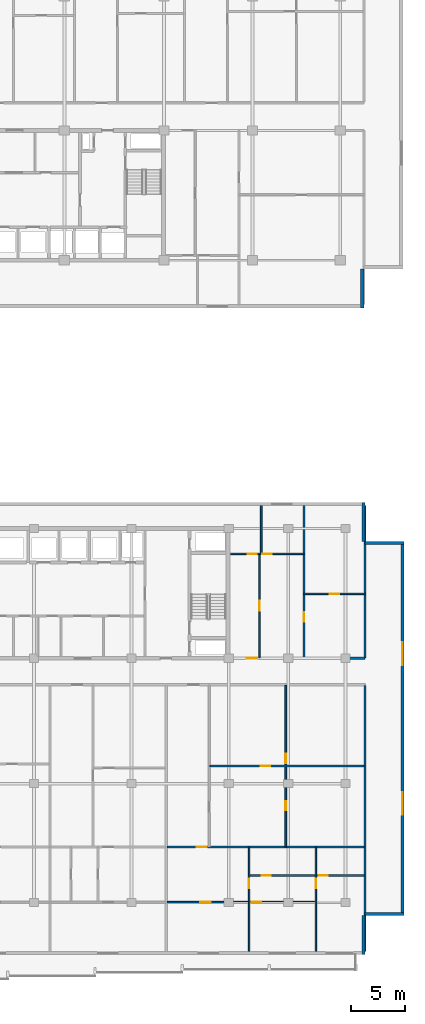
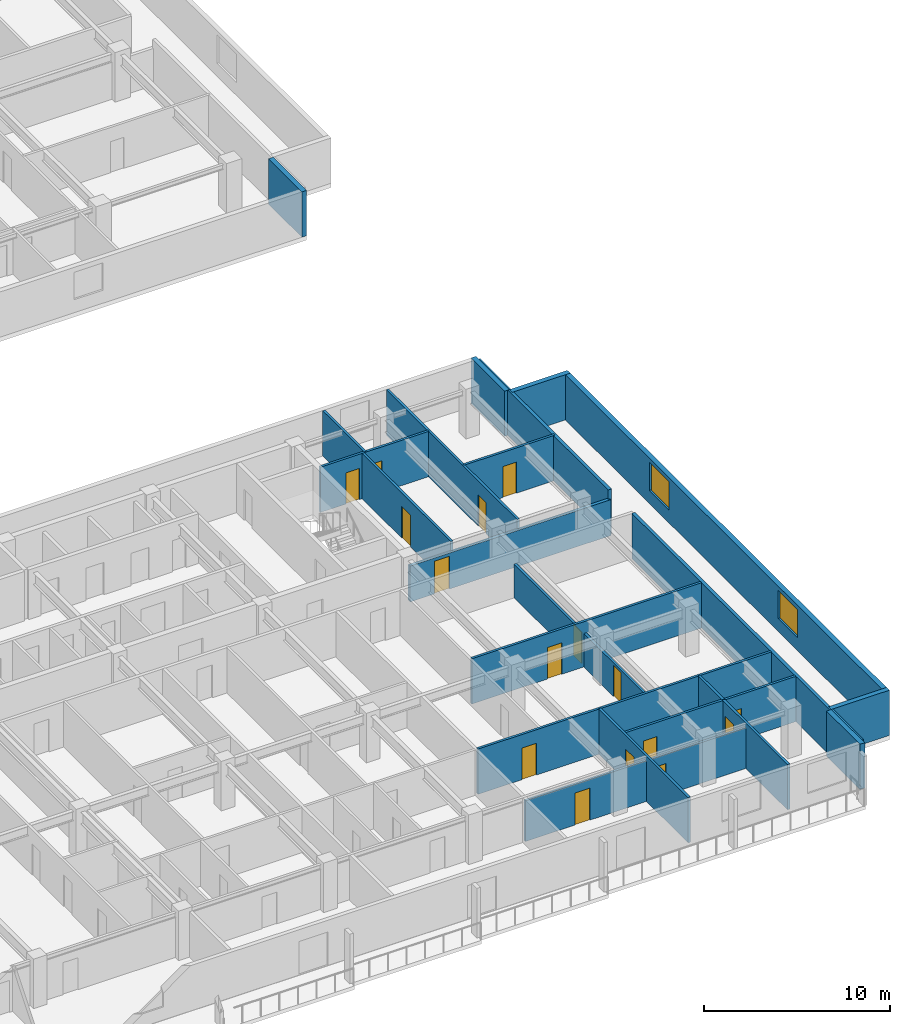
# One storey, part 9 of 21: 22 walls, 16 doors, 2 windows, 18 openings.
"""IFC4 building model written with IfcOpenShell, lengths in metres."""

from ifc_helpers import new_model, si_unit, direction, frame, frame_2d, origin, place, context, subcontext, project, spatial, rectangle, extrude, material, layer, layer_set, type_object, element, fill, save


model = new_model("IFC4")

# Units and contexts
model_context = context("Model", 3, precision=1e-05, world=origin(), true_north=direction((0.0, 1.0)))
body_context = subcontext(model_context, "Body", "Model", "MODEL_VIEW")
ifc_project = project(units=[si_unit("LENGTHUNIT", "METRE"), si_unit("AREAUNIT", "SQUARE_METRE"), si_unit("VOLUMEUNIT", "CUBIC_METRE"), si_unit("PLANEANGLEUNIT", "RADIAN"), si_unit("MASSUNIT", "GRAM", prefix="KILO")], contexts=[model_context])

# Site, building, storey
site_placement = place(None, origin())
site = spatial("IfcSite", under=ifc_project, at=site_placement, CompositionType="ELEMENT")
building_placement = place(site_placement, origin())
building = spatial("IfcBuilding", under=site, at=building_placement, Name="Korimba Cascade Residences", CompositionType="ELEMENT")
storey_placement = place(building_placement, frame((0.0, 0.0, 97.050048828125)))
storey = spatial("IfcBuildingStorey", under=building, at=storey_placement, Name="L27", CompositionType="ELEMENT", Elevation=97.050048828125)

# Walls
ifc_material_1 = material(Name="Precast concrete C40/50", Category="concrete")
ifc_layer_1 = layer(ifc_material_1, 0.300048828125)
ifc_layer_set_1 = layer_set([ifc_layer_1], Name="Precast concrete C40/50")
wall_type_1 = type_object("IfcWallType", Name="EW-STONE-300", PredefinedType="STANDARD", material=ifc_layer_set_1)
wall_1_placement = place(storey_placement, frame((130.449951171875, 50.800048828125, 0.0), z_axis=(0.0, 0.0, 1.0), x_axis=(0.0, 1.0, 0.0)))
element("IfcWall", 1, at=wall_1_placement, inside=storey, type_object=wall_type_1, Name="L27 T1 Perimeter Stone Wall E01", PredefinedType="STANDARD", context=body_context, shape_type="SweptSolid", body=[
    extrude(rectangle(XDim=3.599853515625, YDim=0.300048828125, at=frame_2d((1.7998046875, 0.0))), origin(), (0.0, 0.0, 1.0), 2.969970703125),
])
for number, where, z_axis, x_axis, name in (
    (2, (130.550048828125, -9.0, 0.0), (0.0, 0.0, 1.0), (0.0, 1.0, 0.0), "L27 T2 Perimeter Stone Wall E01"),
    (3, (130.699951171875, -5.25, 0.0), (0.0, 0.0, 1.0), (1.0, 0.0, 0.0), "L27 T2 Perimeter Stone Wall E02"),
):
    element("IfcWall", number, at=place(storey_placement, frame(where, z_axis=z_axis, x_axis=x_axis)), inside=storey, type_object=wall_type_1, Name=name, PredefinedType="STANDARD", context=body_context, shape_type="SweptSolid", body=[
        extrude(rectangle(XDim=3.60009765625, YDim=0.300048828125, at=frame_2d((1.800048828125, 0.0))), origin(), (0.0, 0.0, 1.0), 2.969970703125),
    ])

# Wall, openings, windows
wall_2_placement = place(storey_placement, frame((134.14990234375, -5.39990234375, 0.0), z_axis=(0.0, 0.0, 1.0), x_axis=(0.0, 1.0, 0.0)))
wall_2 = element("IfcWall", 4, at=wall_2_placement, inside=storey, type_object=wall_type_1, Name="L27 T2 Perimeter Stone Wall E03", PredefinedType="STANDARD", context=body_context, shape_type="SweptSolid", body=[
    extrude(rectangle(XDim=34.599853515625, YDim=0.300048828125, at=frame_2d((17.2998046875, 0.0))), origin(), (0.0, 0.0, 1.0), 2.969970703125),
])
opening_1_placement = place(wall_2_placement, frame((9.330078125, 0.0, 0.85009765625)))
opening_1 = element("IfcOpeningElement", 5, at=opening_1_placement, cuts=wall_2, Name="Opening W-03", PredefinedType="OPENING", context=body_context, shape_type="SweptSolid", body=[
    extrude(rectangle(XDim=2.10009765625, YDim=1.85009765625, at=frame_2d((1.050048828125, 0.925048828125))), frame((0.0, 0.16015625, 0.0), z_axis=(0.0, -1.0, 0.0), x_axis=(1.0, 0.0, 0.0)), (0.0, 0.0, 1.0), 0.320068359375),
])
opening_2_placement = place(wall_2_placement, frame((23.169921875, 0.0, 0.85009765625)))
opening_2 = element("IfcOpeningElement", 6, at=opening_2_placement, cuts=wall_2, Name="Opening W-03", PredefinedType="OPENING", context=body_context, shape_type="SweptSolid", body=[
    extrude(rectangle(XDim=2.10009765625, YDim=1.85009765625, at=frame_2d((1.050048828125, 0.925048828125))), frame((0.0, 0.16015625, 0.0), z_axis=(0.0, -1.0, 0.0), x_axis=(1.0, 0.0, 0.0)), (0.0, 0.0, 1.0), 0.320068359375),
])
ifc_material_2 = material(Name="Double-Glazed Aluminium Window", Category="aluminium")
window_type = type_object("IfcWindowType", Name="WIN-CRN-2100", PartitioningType="DOUBLE_PANEL_HORIZONTAL", PredefinedType="WINDOW", material=ifc_material_2)
window_1_placement = place(opening_1_placement, origin())
window_1 = element("IfcWindow", 7, at=window_1_placement, inside=storey, type_object=window_type, Name="L27 T2 End View Window 3.1", OverallHeight=1.85009765625, OverallWidth=2.10009765625, PartitioningType="DOUBLE_PANEL_HORIZONTAL", PredefinedType="WINDOW", context=body_context, shape_type="SweptSolid", body=[
    extrude(rectangle(XDim=2.10009765625, YDim=1.85009765625, at=frame_2d((1.050048828125, 0.925048828125))), frame((0.0, 0.030029296875, 0.0), z_axis=(0.0, -1.0, 0.0), x_axis=(1.0, 0.0, 0.0)), (0.0, 0.0, 1.0), 0.06005859375),
])
fill(opening_1, window_1)
window_2_placement = place(opening_2_placement, origin())
window_2 = element("IfcWindow", 8, at=window_2_placement, inside=storey, type_object=window_type, Name="L27 T2 End View Window 3.2", OverallHeight=1.85009765625, OverallWidth=2.10009765625, PartitioningType="DOUBLE_PANEL_HORIZONTAL", PredefinedType="WINDOW", context=body_context, shape_type="SweptSolid", body=[
    extrude(rectangle(XDim=2.10009765625, YDim=1.85009765625, at=frame_2d((1.050048828125, 0.925048828125))), frame((0.0, 0.030029296875, 0.0), z_axis=(0.0, -1.0, 0.0), x_axis=(1.0, 0.0, 0.0)), (0.0, 0.0, 1.0), 0.06005859375),
])
fill(opening_2, window_2)

# Walls
for number, where, z_axis, x_axis, name in (
    (9, (134.300048828125, 29.050048828125, 0.0), (0.0, 0.0, 1.0), (-1.0, 0.0, 0.0), "L27 T2 Perimeter Stone Wall E04"),
    (10, (130.550048828125, 29.199951171875, 0.0), (0.0, 0.0, 1.0), (0.0, 1.0, 0.0), "L27 T2 Perimeter Stone Wall E05"),
):
    element("IfcWall", number, at=place(storey_placement, frame(where, z_axis=z_axis, x_axis=x_axis)), inside=storey, type_object=wall_type_1, Name=name, PredefinedType="STANDARD", context=body_context, shape_type="SweptSolid", body=[
        extrude(rectangle(XDim=3.60009765625, YDim=0.300048828125, at=frame_2d((1.800048828125, 0.0))), origin(), (0.0, 0.0, 1.0), 2.969970703125),
    ])
ifc_layer_2 = layer(ifc_material_1, 0.199951171875)
ifc_layer_set_2 = layer_set([ifc_layer_2], Name="Precast concrete C40/50")
wall_type_2 = type_object("IfcWallType", Name="WAL-IT-200", PredefinedType="PARTITIONING", material=ifc_layer_set_2)
wall_3_placement = place(storey_placement, frame((130.699951171875, 18.39990234375, 0.0), z_axis=(0.0, 0.0, 1.0), x_axis=(0.0, 1.0, 0.0)))
element("IfcWall", 11, at=wall_3_placement, inside=storey, type_object=wall_type_2, Name="L27 Partition Wall WAL-L27-T2-FE-WR", PredefinedType="PARTITIONING", context=body_context, shape_type="SweptSolid", body=[
    extrude(rectangle(XDim=14.10009765625, YDim=0.199951171875, at=frame_2d((7.050048828125, 0.0))), origin(), (0.0, 0.0, 1.0), 2.969970703125),
])

# Wall, opening, door
wall_4_placement = place(storey_placement, frame((118.25, 18.39990234375, 0.0), z_axis=(0.0, 0.0, 1.0), x_axis=(1.0, 0.0, 0.0)))
wall_4 = element("IfcWall", 12, at=wall_4_placement, inside=storey, type_object=wall_type_2, Name="L27 Partition Wall WAL-L27-T2-FE-S", PredefinedType="PARTITIONING", context=body_context, shape_type="SweptSolid", body=[
    extrude(rectangle(XDim=12.449951171875, YDim=0.199951171875, at=frame_2d((6.22509765625, 0.0))), origin(), (0.0, 0.0, 1.0), 2.357666015625),
])
opening_3_placement = place(wall_4_placement, frame((1.510009765625, 0.0, 0.0)))
opening_3 = element("IfcOpeningElement", 13, at=opening_3_placement, cuts=wall_4, Name="Opening D-UN1", PredefinedType="OPENING", context=body_context, shape_type="SweptSolid", body=[
    extrude(rectangle(XDim=0.949951171875, YDim=2.14990234375, at=frame_2d((0.47509765625, 1.074951171875))), frame((0.0, 0.10986328125, 0.0), z_axis=(0.0, -1.0, 0.0), x_axis=(1.0, 0.0, 0.0)), (0.0, 0.0, 1.0), 0.219970703125),
])
ifc_material_3 = material(Name="Fire-Rated Hardwood Apartment Entrance Door", Category="wood")
door_type_1 = type_object("IfcDoorType", Name="DR-FD60-950", OperationType="NOTDEFINED", PredefinedType="DOOR", material=ifc_material_3)
door_1_placement = place(opening_3_placement, origin())
door_1 = element("IfcDoor", 14, at=door_1_placement, inside=storey, type_object=door_type_1, Name="L27-T2-FE Entrance Door", OperationType="SINGLE_SWING_LEFT", OverallHeight=2.14990234375, OverallWidth=0.949951171875, PredefinedType="DOOR", context=body_context, shape_type="SweptSolid", body=[
    extrude(rectangle(XDim=0.949951171875, YDim=2.14990234375, at=frame_2d((0.47509765625, 1.074951171875))), frame((0.0, 0.02490234375, 0.0), z_axis=(0.0, -1.0, 0.0), x_axis=(1.0, 0.0, 0.0)), (0.0, 0.0, 1.0), 0.050048828125),
])
fill(opening_3, door_1)

# Wall
wall_5_placement = place(storey_placement, frame((130.699951171875, -8.699951171875, 0.0), z_axis=(0.0, 0.0, 1.0), x_axis=(0.0, 1.0, 0.0)))
element("IfcWall", 15, at=wall_5_placement, inside=storey, type_object=wall_type_2, Name="L27 Partition Wall WAL-L27-T2-BNDWR", PredefinedType="PARTITIONING", context=body_context, shape_type="SweptSolid", body=[
    extrude(rectangle(XDim=24.570068359375, YDim=0.199951171875, at=frame_2d((12.28515625, 0.0))), origin(), (0.0, 0.0, 1.0), 2.969970703125),
])

# Wall, opening, door
ifc_material_4 = material(Name="Insulated Acoustic Stud Partition", Category="gypsum")
ifc_layer_3 = layer(ifc_material_4, 0.14990234375)
ifc_layer_set_3 = layer_set([ifc_layer_3], Name="Insulated Acoustic Stud Partition")
wall_type_3 = type_object("IfcWallType", Name="WAL-PART-150", PredefinedType="PARTITIONING", material=ifc_layer_set_3)
wall_6_placement = place(storey_placement, frame((125.050048828125, 24.35009765625, 0.0), z_axis=(0.0, 0.0, 1.0), x_axis=(1.0, 0.0, 0.0)))
wall_6 = element("IfcWall", 16, at=wall_6_placement, inside=storey, type_object=wall_type_3, Name="L27 Partition Wall WAL-L27-T2-FE-STH", PredefinedType="PARTITIONING", context=body_context, shape_type="SweptSolid", body=[
    extrude(rectangle(XDim=5.64990234375, YDim=0.14990234375, at=frame_2d((2.824951171875, 0.0))), origin(), (0.0, 0.0, 1.0), 2.969970703125),
])
opening_4_placement = place(wall_6_placement, frame((2.405029296875, 0.0, 0.0)))
opening_4 = element("IfcOpeningElement", 17, at=opening_4_placement, cuts=wall_6, Name="Opening D-BT1", PredefinedType="OPENING", context=body_context, shape_type="SweptSolid", body=[
    extrude(rectangle(XDim=0.840087890625, YDim=2.0400390625, at=frame_2d((0.419921875, 1.02001953125))), frame((0.0, 0.0849609375, 0.0), z_axis=(0.0, -1.0, 0.0), x_axis=(1.0, 0.0, 0.0)), (0.0, 0.0, 1.0), 0.169921875),
])
ifc_material_5 = material(Name="Moisture-Resistant Bathroom Timber Door", Category="wood")
door_type_2 = type_object("IfcDoorType", Name="DR-INT-850", OperationType="NOTDEFINED", PredefinedType="DOOR", material=ifc_material_5)
door_2_placement = place(opening_4_placement, origin())
door_2 = element("IfcDoor", 18, at=door_2_placement, inside=storey, type_object=door_type_2, Name="L27-T2-FE Dressing Store Door", OperationType="SINGLE_SWING_RIGHT", OverallHeight=2.0400390625, OverallWidth=0.840087890625, PredefinedType="DOOR", context=body_context, shape_type="SweptSolid", body=[
    extrude(rectangle(XDim=0.840087890625, YDim=2.0400390625, at=frame_2d((0.419921875, 1.02001953125))), frame((0.0, 0.02490234375, 0.0), z_axis=(0.0, -1.0, 0.0), x_axis=(1.0, 0.0, 0.0)), (0.0, 0.0, 1.0), 0.050048828125),
])
fill(opening_4, door_2)

wall_7_placement = place(storey_placement, frame((125.050048828125, 18.449951171875, 0.0), z_axis=(0.0, 0.0, 1.0), x_axis=(0.0, 1.0, 0.0)))
wall_7 = element("IfcWall", 19, at=wall_7_placement, inside=storey, type_object=wall_type_3, Name="L27 Partition Wall WAL-L27-T2-FE-STV", PredefinedType="PARTITIONING", context=body_context, shape_type="SweptSolid", body=[
    extrude(rectangle(XDim=14.050048828125, YDim=0.14990234375, at=frame_2d((7.02490234375, 0.0))), origin(), (0.0, 0.0, 1.0), 2.969970703125),
])
opening_5_placement = place(wall_7_placement, frame((3.320068359375, 0.0, 0.0)))
opening_5 = element("IfcOpeningElement", 20, at=opening_5_placement, cuts=wall_7, Name="Opening D-IN2", PredefinedType="OPENING", context=body_context, shape_type="SweptSolid", body=[
    extrude(rectangle(XDim=0.8798828125, YDim=2.06005859375, at=frame_2d((0.43994140625, 1.030029296875))), frame((0.0, 0.0849609375, 0.0), z_axis=(0.0, -1.0, 0.0), x_axis=(1.0, 0.0, 0.0)), (0.0, 0.0, 1.0), 0.169921875),
])
ifc_material_6 = material(Name="Acoustic Timber Bedroom Door", Category="wood")
door_type_3 = type_object("IfcDoorType", Name="DR-INT-880", OperationType="NOTDEFINED", PredefinedType="DOOR", material=ifc_material_6)
door_3_placement = place(opening_5_placement, origin())
door_3 = element("IfcDoor", 21, at=door_3_placement, inside=storey, type_object=door_type_3, Name="L27-T2-FE Study Door", OperationType="SINGLE_SWING_LEFT", OverallHeight=2.06005859375, OverallWidth=0.8798828125, PredefinedType="DOOR", context=body_context, shape_type="SweptSolid", body=[
    extrude(rectangle(XDim=0.8798828125, YDim=2.06005859375, at=frame_2d((0.43994140625, 1.030029296875))), frame((0.0, 0.02490234375, 0.0), z_axis=(0.0, -1.0, 0.0), x_axis=(1.0, 0.0, 0.0)), (0.0, 0.0, 1.0), 0.050048828125),
])
fill(opening_5, door_3)

wall_8_placement = place(storey_placement, frame((120.929931640625, 18.449951171875, 0.0), z_axis=(0.0, 0.0, 1.0), x_axis=(0.0, 1.0, 0.0)))
wall_8 = element("IfcWall", 22, at=wall_8_placement, inside=storey, type_object=wall_type_3, Name="L27 Partition Wall WAL-L27-T2-FE-VS", PredefinedType="PARTITIONING", context=body_context, shape_type="SweptSolid", body=[
    extrude(rectangle(XDim=9.60009765625, YDim=0.14990234375, at=frame_2d((4.800048828125, 0.0))), origin(), (0.0, 0.0, 1.0), 2.969970703125),
])
opening_6_placement = place(wall_8_placement, frame((4.340087890625, 0.0, 0.0)))
opening_6 = element("IfcOpeningElement", 23, at=opening_6_placement, cuts=wall_8, Name="Opening D-IN1", PredefinedType="OPENING", context=body_context, shape_type="SweptSolid", body=[
    extrude(rectangle(XDim=0.919921875, YDim=2.080078125, at=frame_2d((0.4599609375, 1.0400390625))), frame((0.0, 0.0849609375, 0.0), z_axis=(0.0, -1.0, 0.0), x_axis=(1.0, 0.0, 0.0)), (0.0, 0.0, 1.0), 0.169921875),
])
ifc_material_7 = material(Name="Acoustic Timber Living Door", Category="wood")
door_type_4 = type_object("IfcDoorType", Name="DR-INT-920", OperationType="NOTDEFINED", PredefinedType="DOOR", material=ifc_material_7)
door_4_placement = place(opening_6_placement, origin())
door_4 = element("IfcDoor", 24, at=door_4_placement, inside=storey, type_object=door_type_4, Name="L27-T2-FE Living Door", OperationType="SINGLE_SWING_RIGHT", OverallHeight=2.080078125, OverallWidth=0.919921875, PredefinedType="DOOR", context=body_context, shape_type="SweptSolid", body=[
    extrude(rectangle(XDim=0.919921875, YDim=2.080078125, at=frame_2d((0.4599609375, 1.0400390625))), frame((0.0, 0.02490234375, 0.0), z_axis=(0.0, -1.0, 0.0), x_axis=(1.0, 0.0, 0.0)), (0.0, 0.0, 1.0), 0.050048828125),
])
fill(opening_6, door_4)

# Wall
wall_9_placement = place(storey_placement, frame((121.10009765625, 28.050048828125, 0.0), z_axis=(0.0, 0.0, 1.0), x_axis=(0.0, 1.0, 0.0)))
element("IfcWall", 25, at=wall_9_placement, inside=storey, type_object=wall_type_3, Name="L27 Partition Wall WAL-L27-T2-FE-VN", PredefinedType="PARTITIONING", context=body_context, shape_type="SweptSolid", body=[
    extrude(rectangle(XDim=4.449951171875, YDim=0.14990234375, at=frame_2d((2.22509765625, 0.0))), origin(), (0.0, 0.0, 1.0), 2.969970703125),
])

# Wall, openings, doors
wall_10_placement = place(storey_placement, frame((118.27001953125, 28.050048828125, 0.0), z_axis=(0.0, 0.0, 1.0), x_axis=(1.0, 0.0, 0.0)))
wall_10 = element("IfcWall", 26, at=wall_10_placement, inside=storey, type_object=wall_type_3, Name="L27 Partition Wall WAL-L27-T2-FE-H", PredefinedType="PARTITIONING", context=body_context, shape_type="SweptSolid", body=[
    extrude(rectangle(XDim=6.760009765625, YDim=0.14990234375, at=frame_2d((3.3798828125, 0.0))), origin(), (0.0, 0.0, 1.0), 2.969970703125),
])
opening_7_placement = place(wall_10_placement, frame((1.58740234375, 0.0, 0.0)))
opening_7 = element("IfcOpeningElement", 27, at=opening_7_placement, cuts=wall_10, Name="Opening D-BT1", PredefinedType="OPENING", context=body_context, shape_type="SweptSolid", body=[
    extrude(rectangle(XDim=0.840087890625, YDim=2.0400390625, at=frame_2d((0.419921875, 1.02001953125))), frame((0.0, 0.0849609375, 0.0), z_axis=(0.0, -1.0, 0.0), x_axis=(1.0, 0.0, 0.0)), (0.0, 0.0, 1.0), 0.169921875),
])
opening_8_placement = place(wall_10_placement, frame((2.93994140625, 0.0, 0.0)))
opening_8 = element("IfcOpeningElement", 28, at=opening_8_placement, cuts=wall_10, Name="Opening D-IN2", PredefinedType="OPENING", context=body_context, shape_type="SweptSolid", body=[
    extrude(rectangle(XDim=0.8798828125, YDim=2.06005859375, at=frame_2d((0.43994140625, 1.030029296875))), frame((0.0, 0.0849609375, 0.0), z_axis=(0.0, -1.0, 0.0), x_axis=(1.0, 0.0, 0.0)), (0.0, 0.0, 1.0), 0.169921875),
])
door_5_placement = place(opening_7_placement, origin())
door_5 = element("IfcDoor", 29, at=door_5_placement, inside=storey, type_object=door_type_2, Name="L27-T2-FE Bathroom Door", OperationType="SINGLE_SWING_LEFT", OverallHeight=2.0400390625, OverallWidth=0.840087890625, PredefinedType="DOOR", context=body_context, shape_type="SweptSolid", body=[
    extrude(rectangle(XDim=0.840087890625, YDim=2.0400390625, at=frame_2d((0.419921875, 1.02001953125))), frame((0.0, 0.02490234375, 0.0), z_axis=(0.0, -1.0, 0.0), x_axis=(1.0, 0.0, 0.0)), (0.0, 0.0, 1.0), 0.050048828125),
])
fill(opening_7, door_5)
door_6_placement = place(opening_8_placement, origin())
door_6 = element("IfcDoor", 30, at=door_6_placement, inside=storey, type_object=door_type_3, Name="L27-T2-FE Bedroom Door", OperationType="SINGLE_SWING_RIGHT", OverallHeight=2.06005859375, OverallWidth=0.8798828125, PredefinedType="DOOR", context=body_context, shape_type="SweptSolid", body=[
    extrude(rectangle(XDim=0.8798828125, YDim=2.06005859375, at=frame_2d((0.43994140625, 1.030029296875))), frame((0.0, 0.02490234375, 0.0), z_axis=(0.0, -1.0, 0.0), x_axis=(1.0, 0.0, 0.0)), (0.0, 0.0, 1.0), 0.050048828125),
])
fill(opening_8, door_6)

wall_11_placement = place(storey_placement, frame((123.367431640625, 0.989990234375, 0.0), z_axis=(0.0, 0.0, 1.0), x_axis=(0.0, 1.0, 0.0)))
wall_11 = element("IfcWall", 31, at=wall_11_placement, inside=storey, type_object=wall_type_3, Name="L27 Partition Wall WAL-L27-T2-U04-FMV", PredefinedType="PARTITIONING", context=body_context, shape_type="SweptSolid", body=[
    extrude(rectangle(XDim=14.89990234375, YDim=0.14990234375, at=frame_2d((7.449951171875, 0.0))), origin(), (0.0, 0.0, 1.0), 2.2001953125),
])
opening_9_placement = place(wall_11_placement, frame((3.35498046875, 0.0, 0.0)))
opening_9 = element("IfcOpeningElement", 32, at=opening_9_placement, cuts=wall_11, Name="Opening D-BT1", PredefinedType="OPENING", context=body_context, shape_type="SweptSolid", body=[
    extrude(rectangle(XDim=0.840087890625, YDim=2.0400390625, at=frame_2d((0.419921875, 1.02001953125))), frame((0.0, 0.0849609375, 0.0), z_axis=(0.0, -1.0, 0.0), x_axis=(1.0, 0.0, 0.0)), (0.0, 0.0, 1.0), 0.169921875),
])
opening_10_placement = place(wall_11_placement, frame((7.699951171875, 0.0, 0.0)))
opening_10 = element("IfcOpeningElement", 33, at=opening_10_placement, cuts=wall_11, Name="Opening D-IN2", PredefinedType="OPENING", context=body_context, shape_type="SweptSolid", body=[
    extrude(rectangle(XDim=0.8798828125, YDim=2.06005859375, at=frame_2d((0.43994140625, 1.030029296875))), frame((0.0, 0.0849609375, 0.0), z_axis=(0.0, -1.0, 0.0), x_axis=(1.0, 0.0, 0.0)), (0.0, 0.0, 1.0), 0.169921875),
])
door_7_placement = place(opening_9_placement, origin())
door_7 = element("IfcDoor", 34, at=door_7_placement, inside=storey, type_object=door_type_2, Name="L27-T2-U04 Wardrobe Door", OperationType="SINGLE_SWING_LEFT", OverallHeight=2.0400390625, OverallWidth=0.840087890625, PredefinedType="DOOR", context=body_context, shape_type="SweptSolid", body=[
    extrude(rectangle(XDim=0.840087890625, YDim=2.0400390625, at=frame_2d((0.419921875, 1.02001953125))), frame((0.0, 0.02490234375, 0.0), z_axis=(0.0, -1.0, 0.0), x_axis=(1.0, 0.0, 0.0)), (0.0, 0.0, 1.0), 0.050048828125),
])
fill(opening_9, door_7)
door_8_placement = place(opening_10_placement, origin())
door_8 = element("IfcDoor", 35, at=door_8_placement, inside=storey, type_object=door_type_3, Name="L27-T2-U04 Music Lounge Door", OperationType="SINGLE_SWING_RIGHT", OverallHeight=2.06005859375, OverallWidth=0.8798828125, PredefinedType="DOOR", context=body_context, shape_type="SweptSolid", body=[
    extrude(rectangle(XDim=0.8798828125, YDim=2.06005859375, at=frame_2d((0.43994140625, 1.030029296875))), frame((0.0, 0.02490234375, 0.0), z_axis=(0.0, -1.0, 0.0), x_axis=(1.0, 0.0, 0.0)), (0.0, 0.0, 1.0), 0.050048828125),
])
fill(opening_10, door_8)

# Wall, opening, door
wall_12_placement = place(storey_placement, frame((116.35498046875, 8.43994140625, 0.0), z_axis=(0.0, 0.0, 1.0), x_axis=(1.0, 0.0, 0.0)))
wall_12 = element("IfcWall", 36, at=wall_12_placement, inside=storey, type_object=wall_type_3, Name="L27 Partition Wall WAL-L27-T2-U04-FMH", PredefinedType="PARTITIONING", context=body_context, shape_type="SweptSolid", body=[
    extrude(rectangle(XDim=14.26513671875, YDim=0.14990234375, at=frame_2d((7.132568359375, 0.0))), origin(), (0.0, 0.0, 1.0), 2.969970703125),
])
opening_11_placement = place(wall_12_placement, frame((4.688720703125, 0.0, 0.0)))
opening_11 = element("IfcOpeningElement", 37, at=opening_11_placement, cuts=wall_12, Name="Opening D-IN2", PredefinedType="OPENING", context=body_context, shape_type="SweptSolid", body=[
    extrude(rectangle(XDim=0.8798828125, YDim=2.06005859375, at=frame_2d((0.43994140625, 1.030029296875))), frame((0.0, 0.0849609375, 0.0), z_axis=(0.0, -1.0, 0.0), x_axis=(1.0, 0.0, 0.0)), (0.0, 0.0, 1.0), 0.169921875),
])
door_9_placement = place(opening_11_placement, origin())
door_9 = element("IfcDoor", 38, at=door_9_placement, inside=storey, type_object=door_type_3, Name="L27-T2-U04 Library Salon Door", OperationType="SINGLE_SWING_LEFT", OverallHeight=2.06005859375, OverallWidth=0.8798828125, PredefinedType="DOOR", context=body_context, shape_type="SweptSolid", body=[
    extrude(rectangle(XDim=0.8798828125, YDim=2.06005859375, at=frame_2d((0.43994140625, 1.030029296875))), frame((0.0, 0.02490234375, 0.0), z_axis=(0.0, -1.0, 0.0), x_axis=(1.0, 0.0, 0.0)), (0.0, 0.0, 1.0), 0.050048828125),
])
fill(opening_11, door_9)

wall_13_placement = place(storey_placement, frame((119.97998046875, -8.699951171875, 0.0), z_axis=(0.0, 0.0, 1.0), x_axis=(0.0, 1.0, 0.0)))
wall_13 = element("IfcWall", 39, at=wall_13_placement, inside=storey, type_object=wall_type_3, Name="L27 Partition Wall WAL-L27-T2-U04-V1", PredefinedType="PARTITIONING", context=body_context, shape_type="SweptSolid", body=[
    extrude(rectangle(XDim=9.60986328125, YDim=0.14990234375, at=frame_2d((4.804931640625, 0.0))), origin(), (0.0, 0.0, 1.0), 2.969970703125),
])
opening_12_placement = place(wall_13_placement, frame((5.81005859375, 0.0, 0.0)))
opening_12 = element("IfcOpeningElement", 40, at=opening_12_placement, cuts=wall_13, Name="Opening D-IN1", PredefinedType="OPENING", context=body_context, shape_type="SweptSolid", body=[
    extrude(rectangle(XDim=0.919921875, YDim=2.080078125, at=frame_2d((0.4599609375, 1.0400390625))), frame((0.0, 0.0849609375, 0.0), z_axis=(0.0, -1.0, 0.0), x_axis=(1.0, 0.0, 0.0)), (0.0, 0.0, 1.0), 0.169921875),
])
door_10_placement = place(opening_12_placement, origin())
door_10 = element("IfcDoor", 41, at=door_10_placement, inside=storey, type_object=door_type_4, Name="L27-T2-U04 Hallway Door", OperationType="SINGLE_SWING_LEFT", OverallHeight=2.080078125, OverallWidth=0.919921875, PredefinedType="DOOR", context=body_context, shape_type="SweptSolid", body=[
    extrude(rectangle(XDim=0.919921875, YDim=2.080078125, at=frame_2d((0.4599609375, 1.0400390625))), frame((0.0, 0.02490234375, 0.0), z_axis=(0.0, -1.0, 0.0), x_axis=(1.0, 0.0, 0.0)), (0.0, 0.0, 1.0), 0.050048828125),
])
fill(opening_12, door_10)

# Wall
wall_14_placement = place(storey_placement, frame((126.14990234375, -1.669921875, 0.0), z_axis=(0.0, 0.0, 1.0), x_axis=(0.0, 1.0, 0.0)))
element("IfcWall", 42, at=wall_14_placement, inside=storey, type_object=wall_type_3, Name="L27 Partition Wall WAL-L27-T2-U04-VBATH", PredefinedType="PARTITIONING", context=body_context, shape_type="SweptSolid", body=[
    extrude(rectangle(XDim=2.579833984375, YDim=0.14990234375, at=frame_2d((1.2900390625, 0.0))), origin(), (0.0, 0.0, 1.0), 2.969970703125),
])

# Wall, opening, door
wall_15_placement = place(storey_placement, frame((126.14990234375, -8.699951171875, 0.0), z_axis=(0.0, 0.0, 1.0), x_axis=(0.0, 1.0, 0.0)))
wall_15 = element("IfcWall", 43, at=wall_15_placement, inside=storey, type_object=wall_type_3, Name="L27 Partition Wall WAL-L27-T2-U04-V2FULL", PredefinedType="PARTITIONING", context=body_context, shape_type="SweptSolid", body=[
    extrude(rectangle(XDim=6.989990234375, YDim=0.14990234375, at=frame_2d((3.4951171875, 0.0))), origin(), (0.0, 0.0, 1.0), 2.969970703125),
])
opening_13_placement = place(wall_15_placement, frame((5.81005859375, 0.0, 0.0)))
opening_13 = element("IfcOpeningElement", 44, at=opening_13_placement, cuts=wall_15, Name="Opening D-IN1", PredefinedType="OPENING", context=body_context, shape_type="SweptSolid", body=[
    extrude(rectangle(XDim=0.919921875, YDim=2.080078125, at=frame_2d((0.4599609375, 1.0400390625))), frame((0.0, 0.0849609375, 0.0), z_axis=(0.0, -1.0, 0.0), x_axis=(1.0, 0.0, 0.0)), (0.0, 0.0, 1.0), 0.169921875),
])
door_11_placement = place(opening_13_placement, origin())
door_11 = element("IfcDoor", 45, at=door_11_placement, inside=storey, type_object=door_type_4, Name="L27-T2-U04 Master Bedroom Door", OperationType="SINGLE_SWING_RIGHT", OverallHeight=2.080078125, OverallWidth=0.919921875, PredefinedType="DOOR", context=body_context, shape_type="SweptSolid", body=[
    extrude(rectangle(XDim=0.919921875, YDim=2.080078125, at=frame_2d((0.4599609375, 1.0400390625))), frame((0.0, 0.02490234375, 0.0), z_axis=(0.0, -1.0, 0.0), x_axis=(1.0, 0.0, 0.0)), (0.0, 0.0, 1.0), 0.050048828125),
])
fill(opening_13, door_11)

# Wall, openings, doors
wall_16_placement = place(storey_placement, frame((120.02001953125, -1.68994140625, 0.0), z_axis=(0.0, 0.0, 1.0), x_axis=(1.0, 0.0, 0.0)))
wall_16 = element("IfcWall", 46, at=wall_16_placement, inside=storey, type_object=wall_type_3, Name="L27 Partition Wall WAL-L27-T2-U04-HWALL", PredefinedType="PARTITIONING", context=body_context, shape_type="SweptSolid", body=[
    extrude(rectangle(XDim=10.60009765625, YDim=0.14990234375, at=frame_2d((5.300048828125, 0.0))), origin(), (0.0, 0.0, 1.0), 2.969970703125),
])
opening_14_placement = place(wall_16_placement, frame((1.1123046875, 0.0, 0.0)))
opening_14 = element("IfcOpeningElement", 47, at=opening_14_placement, cuts=wall_16, Name="Opening D-BT1", PredefinedType="OPENING", context=body_context, shape_type="SweptSolid", body=[
    extrude(rectangle(XDim=0.840087890625, YDim=2.0400390625, at=frame_2d((0.419921875, 1.02001953125))), frame((0.0, 0.0849609375, 0.0), z_axis=(0.0, -1.0, 0.0), x_axis=(1.0, 0.0, 0.0)), (0.0, 0.0, 1.0), 0.169921875),
])
opening_15_placement = place(wall_16_placement, frame((6.3798828125, 0.0, 0.0)))
opening_15 = element("IfcOpeningElement", 48, at=opening_15_placement, cuts=wall_16, Name="Opening D-BT1", PredefinedType="OPENING", context=body_context, shape_type="SweptSolid", body=[
    extrude(rectangle(XDim=0.840087890625, YDim=2.0400390625, at=frame_2d((0.419921875, 1.02001953125))), frame((0.0, 0.0849609375, 0.0), z_axis=(0.0, -1.0, 0.0), x_axis=(1.0, 0.0, 0.0)), (0.0, 0.0, 1.0), 0.169921875),
])
door_12_placement = place(opening_14_placement, origin())
door_12 = element("IfcDoor", 49, at=door_12_placement, inside=storey, type_object=door_type_2, Name="L27-T2-U04 Family Bathroom Door", OperationType="SINGLE_SWING_LEFT", OverallHeight=2.0400390625, OverallWidth=0.840087890625, PredefinedType="DOOR", context=body_context, shape_type="SweptSolid", body=[
    extrude(rectangle(XDim=0.840087890625, YDim=2.0400390625, at=frame_2d((0.419921875, 1.02001953125))), frame((0.0, 0.02490234375, 0.0), z_axis=(0.0, -1.0, 0.0), x_axis=(1.0, 0.0, 0.0)), (0.0, 0.0, 1.0), 0.050048828125),
])
fill(opening_14, door_12)
door_13_placement = place(opening_15_placement, origin())
door_13 = element("IfcDoor", 50, at=door_13_placement, inside=storey, type_object=door_type_2, Name="L27-T2-U04 En-Suite Door", OperationType="SINGLE_SWING_RIGHT", OverallHeight=2.0400390625, OverallWidth=0.840087890625, PredefinedType="DOOR", context=body_context, shape_type="SweptSolid", body=[
    extrude(rectangle(XDim=0.840087890625, YDim=2.0400390625, at=frame_2d((0.419921875, 1.02001953125))), frame((0.0, 0.02490234375, 0.0), z_axis=(0.0, -1.0, 0.0), x_axis=(1.0, 0.0, 0.0)), (0.0, 0.0, 1.0), 0.050048828125),
])
fill(opening_15, door_13)

# Wall, opening, door
wall_17_placement = place(storey_placement, frame((112.405029296875, 0.949951171875, 0.0), z_axis=(0.0, 0.0, 1.0), x_axis=(1.0, 0.0, 0.0)))
wall_17 = element("IfcWall", 51, at=wall_17_placement, inside=storey, type_object=wall_type_3, Name="L27 Partition Wall WAL-L27-T2-U04-MW", PredefinedType="PARTITIONING", context=body_context, shape_type="SweptSolid", body=[
    extrude(rectangle(XDim=18.215087890625, YDim=0.14990234375, at=frame_2d((9.107421875, 0.0))), origin(), (0.0, 0.0, 1.0), 2.969970703125),
])
opening_16_placement = place(wall_17_placement, frame((2.719970703125, 0.0, 0.0)))
opening_16 = element("IfcOpeningElement", 52, at=opening_16_placement, cuts=wall_17, Name="Opening D-IN1", PredefinedType="OPENING", context=body_context, shape_type="SweptSolid", body=[
    extrude(rectangle(XDim=0.919921875, YDim=2.080078125, at=frame_2d((0.4599609375, 1.0400390625))), frame((0.0, 0.0849609375, 0.0), z_axis=(0.0, -1.0, 0.0), x_axis=(1.0, 0.0, 0.0)), (0.0, 0.0, 1.0), 0.169921875),
])
door_14_placement = place(opening_16_placement, origin())
door_14 = element("IfcDoor", 53, at=door_14_placement, inside=storey, type_object=door_type_4, Name="L27-T2-U04 Kitchen Door", OperationType="SINGLE_SWING_LEFT", OverallHeight=2.080078125, OverallWidth=0.919921875, PredefinedType="DOOR", context=body_context, shape_type="SweptSolid", body=[
    extrude(rectangle(XDim=0.919921875, YDim=2.080078125, at=frame_2d((0.4599609375, 1.0400390625))), frame((0.0, 0.02490234375, 0.0), z_axis=(0.0, -1.0, 0.0), x_axis=(1.0, 0.0, 0.0)), (0.0, 0.0, 1.0), 0.050048828125),
])
fill(opening_16, door_14)

# Wall, openings, doors
wall_18_placement = place(storey_placement, frame((112.405029296875, -4.14990234375, 0.0), z_axis=(0.0, 0.0, 1.0), x_axis=(1.0, 0.0, 0.0)))
wall_18 = element("IfcWall", 54, at=wall_18_placement, inside=storey, type_object=wall_type_3, Name="L27 Partition Wall WAL-L27-T2-U04-HZ", PredefinedType="PARTITIONING", context=body_context, shape_type="SweptSolid", body=[
    extrude(rectangle(XDim=13.744873046875, YDim=0.14990234375, at=frame_2d((6.87255859375, 0.0))), origin(), (0.0, 0.0, 1.0), 2.663330078125),
])
opening_17_placement = place(wall_18_placement, frame((3.072021484375, 0.0, 0.0)))
opening_17 = element("IfcOpeningElement", 55, at=opening_17_placement, cuts=wall_18, Name="Opening D-IN0", PredefinedType="OPENING", context=body_context, shape_type="SweptSolid", body=[
    extrude(rectangle(XDim=0.93994140625, YDim=2.10009765625, at=frame_2d((0.469970703125, 1.050048828125))), frame((0.0, 0.0849609375, 0.0), z_axis=(0.0, -1.0, 0.0), x_axis=(1.0, 0.0, 0.0)), (0.0, 0.0, 1.0), 0.169921875),
])
opening_18_placement = place(wall_18_placement, frame((7.824951171875, 0.0, 0.0)))
opening_18 = element("IfcOpeningElement", 56, at=opening_18_placement, cuts=wall_18, Name="Opening D-IN2", PredefinedType="OPENING", context=body_context, shape_type="SweptSolid", body=[
    extrude(rectangle(XDim=0.8798828125, YDim=2.06005859375, at=frame_2d((0.43994140625, 1.030029296875))), frame((0.0, 0.0849609375, 0.0), z_axis=(0.0, -1.0, 0.0), x_axis=(1.0, 0.0, 0.0)), (0.0, 0.0, 1.0), 0.169921875),
])
door_15_placement = place(opening_18_placement, origin())
door_15 = element("IfcDoor", 57, at=door_15_placement, inside=storey, type_object=door_type_3, Name="L27-T2-U04 Bedroom 2 Door", OperationType="SINGLE_SWING_LEFT", OverallHeight=2.06005859375, OverallWidth=0.8798828125, PredefinedType="DOOR", context=body_context, shape_type="SweptSolid", body=[
    extrude(rectangle(XDim=0.8798828125, YDim=2.06005859375, at=frame_2d((0.43994140625, 1.030029296875))), frame((0.0, 0.02490234375, 0.0), z_axis=(0.0, -1.0, 0.0), x_axis=(1.0, 0.0, 0.0)), (0.0, 0.0, 1.0), 0.050048828125),
])
fill(opening_18, door_15)
ifc_material_8 = material(Name="Acoustic Timber Living Archway Door", Category="wood")
door_type_5 = type_object("IfcDoorType", Name="DR-INT-950", OperationType="NOTDEFINED", PredefinedType="DOOR", material=ifc_material_8)
door_16_placement = place(opening_17_placement, origin())
door_16 = element("IfcDoor", 58, at=door_16_placement, inside=storey, type_object=door_type_5, Name="L27-T2-U04 Living Room Door", OperationType="SINGLE_SWING_RIGHT", OverallHeight=2.10009765625, OverallWidth=0.93994140625, PredefinedType="DOOR", context=body_context, shape_type="SweptSolid", body=[
    extrude(rectangle(XDim=0.93994140625, YDim=2.10009765625, at=frame_2d((0.469970703125, 1.050048828125))), frame((0.0, 0.02490234375, 0.0), z_axis=(0.0, -1.0, 0.0), x_axis=(1.0, 0.0, 0.0)), (0.0, 0.0, 1.0), 0.050048828125),
])
fill(opening_17, door_16)

save(model, "model.ifc")
